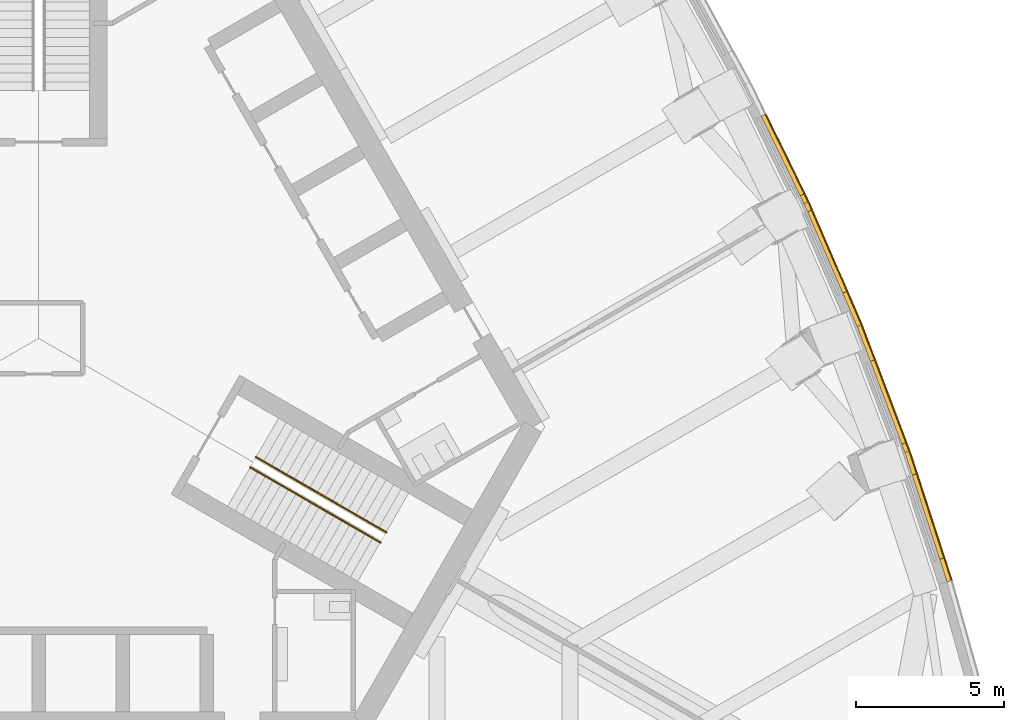
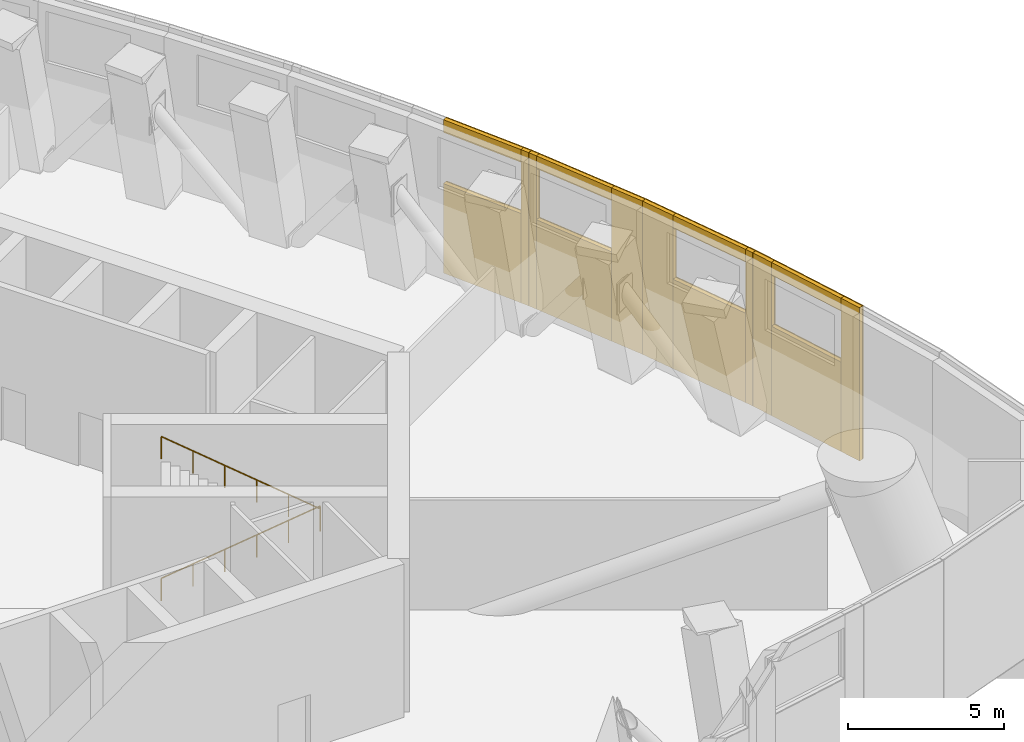
# One storey, part 14 of 22: 30 coverings, 2 railings.
"""IFC4 building model written with IfcOpenShell, lengths in metres."""

from ifc_helpers import new_model, si_unit, direction, frame, origin, origin_2d, place, context, subcontext, project, spatial, rectangle, circle, extrude, material, layer, layer_set, type_object, element, save


model = new_model("IFC4")

# Units and contexts
model_context = context("Model", 3, precision=1e-05, world=origin(), true_north=direction((0.0, 1.0)))
body_context = subcontext(model_context, "Body", "Model", "MODEL_VIEW")
ifc_project = project(units=[si_unit("LENGTHUNIT", "METRE"), si_unit("AREAUNIT", "SQUARE_METRE"), si_unit("VOLUMEUNIT", "CUBIC_METRE"), si_unit("PLANEANGLEUNIT", "RADIAN"), si_unit("MASSUNIT", "GRAM", prefix="KILO")], contexts=[model_context])

# Site, building, storey
site_placement = place(None, origin())
site = spatial("IfcSite", under=ifc_project, at=site_placement, CompositionType="ELEMENT")
building_placement = place(site_placement, origin())
building = spatial("IfcBuilding", under=site, at=building_placement, Name="Trefoil Bronze Tower", CompositionType="ELEMENT")
storey_placement = place(building_placement, frame((0.0, 0.0, 265.300048828125)))
storey = spatial("IfcBuildingStorey", under=building, at=storey_placement, Name="L61", CompositionType="ELEMENT", Elevation=265.300048828125)

# Coverings
ifc_material_1 = material(Name="Bronze-finish aluminium rainscreen panel on aluminium rails", Category="aluminium")
ifc_layer_1 = layer(ifc_material_1, 0.0400390625)
ifc_layer_set_1 = layer_set([ifc_layer_1], Name="Bronze cladding panel 40")
covering_type_1 = type_object("IfcCoveringType", Name="Bronze cladding panel 40", PredefinedType="CLADDING", material=ifc_layer_set_1)
for number, where, z_axis, x_axis, name in (
    (1, (30.8134765625, -7.815185546875, 0.0), (0.0, 0.0, 1.0), (-0.310148591987, 0.950688093377, 0.0), "Cladding panel L61 Face 2.2 piece 1"),
    (2, (29.635009765625, -4.202880859375, 0.0), (0.0, 0.0, 1.0), (-0.310148591987, 0.950688093377, 0.0), "Cladding panel L61 Face 2.2 piece 2"),
):
    element("IfcCovering", number, at=place(storey_placement, frame(where, z_axis=z_axis, x_axis=x_axis)), inside=storey, type_object=covering_type_1, Name=name, PredefinedType="CLADDING", context=body_context, shape_type="SweptSolid", body=[
        extrude(rectangle(XDim=0.7998046875, YDim=0.0400390625, at=origin_2d()), origin(), (0.0, 0.0, 1.0), 6.0),
    ])
covering_1_placement = place(storey_placement, frame((30.224365234375, -6.009033203125, 0.0), z_axis=(0.0, 0.0, 1.0), x_axis=(-0.310148591987, 0.950688093377, 0.0)))
element("IfcCovering", 3, at=covering_1_placement, inside=storey, type_object=covering_type_1, Name="Cladding panel L61 Face 2.2 piece 3", PredefinedType="CLADDING", context=body_context, shape_type="SweptSolid", body=[
    extrude(rectangle(XDim=3.0, YDim=0.0400390625, at=origin_2d()), origin(), (0.0, 0.0, 1.0), 3.5),
])
covering_2_placement = place(storey_placement, frame((30.224365234375, -6.009033203125, 5.5), z_axis=(0.0, 0.0, 1.0), x_axis=(-0.310148591987, 0.950688093377, 0.0)))
element("IfcCovering", 4, at=covering_2_placement, inside=storey, type_object=covering_type_1, Name="Cladding panel L61 Face 2.2 piece 4", PredefinedType="CLADDING", context=body_context, shape_type="SweptSolid", body=[
    extrude(rectangle(XDim=3.0, YDim=0.0400390625, at=origin_2d()), origin(), (0.0, 0.0, 1.0), 0.5),
])
covering_3_placement = place(storey_placement, frame((29.453125, -3.66845703125, 0.0), z_axis=(0.0, 0.0, 1.0), x_axis=(-0.354233936452, 0.935156841533, 0.0)))
element("IfcCovering", 5, at=covering_3_placement, inside=storey, type_object=covering_type_1, Name="Cladding panel L61 Face 2.3 piece 1", PredefinedType="CLADDING", context=body_context, shape_type="SweptSolid", body=[
    extrude(rectangle(XDim=0.300048828125, YDim=0.0400390625, at=origin_2d()), origin(), (0.0, 0.0, 1.0), 6.0),
])
covering_4_placement = place(storey_placement, frame((28.114013671875, -0.1337890625, 0.0), z_axis=(0.0, 0.0, 1.0), x_axis=(-0.354233936452, 0.935156841533, 0.0)))
element("IfcCovering", 6, at=covering_4_placement, inside=storey, type_object=covering_type_1, Name="Cladding panel L61 Face 2.3 piece 2", PredefinedType="CLADDING", context=body_context, shape_type="SweptSolid", body=[
    extrude(rectangle(XDim=1.25927734375, YDim=0.0400390625, at=origin_2d()), origin(), (0.0, 0.0, 1.0), 6.0),
])
covering_5_placement = place(storey_placement, frame((28.868408203125, -2.125244140625, 0.0), z_axis=(0.0, 0.0, 1.0), x_axis=(-0.354233936452, 0.935156841533, 0.0)))
element("IfcCovering", 7, at=covering_5_placement, inside=storey, type_object=covering_type_1, Name="Cladding panel L61 Face 2.3 piece 3", PredefinedType="CLADDING", context=body_context, shape_type="SweptSolid", body=[
    extrude(rectangle(XDim=3.0, YDim=0.0400390625, at=origin_2d()), origin(), (0.0, 0.0, 1.0), 3.5),
])
covering_6_placement = place(storey_placement, frame((28.868408203125, -2.125244140625, 5.5), z_axis=(0.0, 0.0, 1.0), x_axis=(-0.354233936452, 0.935156841533, 0.0)))
element("IfcCovering", 8, at=covering_6_placement, inside=storey, type_object=covering_type_1, Name="Cladding panel L61 Face 2.3 piece 4", PredefinedType="CLADDING", context=body_context, shape_type="SweptSolid", body=[
    extrude(rectangle(XDim=3.0, YDim=0.0400390625, at=origin_2d()), origin(), (0.0, 0.0, 1.0), 0.5),
])
covering_7_placement = place(storey_placement, frame((27.64111328125, 1.033203125, 0.0), z_axis=(0.0, 0.0, 1.0), x_axis=(-0.397220305796, 0.917723285453, 0.0)))
element("IfcCovering", 9, at=covering_7_placement, inside=storey, type_object=covering_type_1, Name="Cladding panel L61 Face 2.4 piece 1", PredefinedType="CLADDING", context=body_context, shape_type="SweptSolid", body=[
    extrude(rectangle(XDim=1.22998046875, YDim=0.0400390625, at=origin_2d()), origin(), (0.0, 0.0, 1.0), 6.0),
])
covering_8_placement = place(storey_placement, frame((26.145751953125, 4.488525390625, 0.0), z_axis=(0.0, 0.0, 1.0), x_axis=(-0.397220305796, 0.917723285453, 0.0)))
element("IfcCovering", 10, at=covering_8_placement, inside=storey, type_object=covering_type_1, Name="Cladding panel L61 Face 2.4 piece 2", PredefinedType="CLADDING", context=body_context, shape_type="SweptSolid", body=[
    extrude(rectangle(XDim=0.300048828125, YDim=0.0400390625, at=origin_2d()), origin(), (0.0, 0.0, 1.0), 6.0),
])
covering_9_placement = place(storey_placement, frame((26.801025390625, 2.97412109375, 0.0), z_axis=(0.0, 0.0, 1.0), x_axis=(-0.397220305796, 0.917723285453, 0.0)))
element("IfcCovering", 11, at=covering_9_placement, inside=storey, type_object=covering_type_1, Name="Cladding panel L61 Face 2.4 piece 3", PredefinedType="CLADDING", context=body_context, shape_type="SweptSolid", body=[
    extrude(rectangle(XDim=3.0, YDim=0.0400390625, at=origin_2d()), origin(), (0.0, 0.0, 1.0), 3.5),
])
covering_10_placement = place(storey_placement, frame((26.801025390625, 2.97412109375, 5.5), z_axis=(0.0, 0.0, 1.0), x_axis=(-0.397220305796, 0.917723285453, 0.0)))
element("IfcCovering", 12, at=covering_10_placement, inside=storey, type_object=covering_type_1, Name="Cladding panel L61 Face 2.4 piece 4", PredefinedType="CLADDING", context=body_context, shape_type="SweptSolid", body=[
    extrude(rectangle(XDim=3.0, YDim=0.0400390625, at=origin_2d()), origin(), (0.0, 0.0, 1.0), 0.5),
])
covering_11_placement = place(storey_placement, frame((26.01416015625, 4.774169921875, 0.0), z_axis=(0.0, 0.0, 1.0), x_axis=(-0.439129033303, 0.898424004638, 0.0)))
element("IfcCovering", 13, at=covering_11_placement, inside=storey, type_object=covering_type_1, Name="Cladding panel L61 Face 2.5 piece 1", PredefinedType="CLADDING", context=body_context, shape_type="SweptSolid", body=[
    extrude(rectangle(XDim=0.300048828125, YDim=0.0400390625, at=origin_2d()), origin(), (0.0, 0.0, 1.0), 6.0),
])
covering_12_placement = place(storey_placement, frame((25.28955078125, 6.256591796875, 0.0), z_axis=(0.0, 0.0, 1.0), x_axis=(-0.439129033303, 0.898424004638, 0.0)))
element("IfcCovering", 14, at=covering_12_placement, inside=storey, type_object=covering_type_1, Name="Cladding panel L61 Face 2.5 piece 3", PredefinedType="CLADDING", context=body_context, shape_type="SweptSolid", body=[
    extrude(rectangle(XDim=3.0, YDim=0.0400390625, at=origin_2d()), origin(), (0.0, 0.0, 1.0), 3.5),
])
covering_13_placement = place(storey_placement, frame((25.28955078125, 6.256591796875, 5.5), z_axis=(0.0, 0.0, 1.0), x_axis=(-0.439129033303, 0.898424004638, 0.0)))
element("IfcCovering", 15, at=covering_13_placement, inside=storey, type_object=covering_type_1, Name="Cladding panel L61 Face 2.5 piece 4", PredefinedType="CLADDING", context=body_context, shape_type="SweptSolid", body=[
    extrude(rectangle(XDim=3.0, YDim=0.0400390625, at=origin_2d()), origin(), (0.0, 0.0, 1.0), 0.5),
])

# Railings
ifc_material_2 = material(Name="Steel handrail", Category="steel")
railing_type = type_object("IfcRailingType", Name="Handrail 900", PredefinedType="HANDRAIL", material=ifc_material_2)
railing_1_placement = place(storey_placement, frame((7.365966796875, -4.021728515625, 0.16650390625)))
element("IfcRailing", 16, at=railing_1_placement, inside=storey, type_object=railing_type, Name="Handrail ST1 flight 1 L61", PredefinedType="HANDRAIL", context=body_context, shape_type="SweptSolid", body=[
    extrude(circle(Radius=0.02392578125, at=origin_2d()), frame((0.0, 0.0, 0.8759765625), z_axis=(0.757030734863, -0.437078438209, 0.485661307215), x_axis=(0.500005610874, 0.86602216432, 0.0)), (0.0, 0.0, 1.0), 5.834228515625),
    extrude(circle(Radius=0.02099609375, at=origin_2d()), origin(), (0.0, 0.0, 1.0), 0.851806640625),
    extrude(circle(Radius=0.02099609375, at=origin_2d()), frame((0.88330078125, -0.510009765625, 0.566650390625)), (0.0, 0.0, 1.0), 0.851806640625),
    extrude(circle(Radius=0.02099609375, at=origin_2d()), frame((1.7666015625, -1.02001953125, 1.13330078125)), (0.0, 0.0, 1.0), 0.851806640625),
    extrude(circle(Radius=0.02099609375, at=origin_2d()), frame((2.650146484375, -1.530029296875, 1.7001953125)), (0.0, 0.0, 1.0), 0.851806640625),
    extrude(circle(Radius=0.02099609375, at=origin_2d()), frame((3.533447265625, -2.0400390625, 2.266845703125)), (0.0, 0.0, 1.0), 0.851806640625),
    extrude(circle(Radius=0.02099609375, at=origin_2d()), frame((4.416748046875, -2.550048828125, 2.83349609375)), (0.0, 0.0, 1.0), 0.851806640625),
])
railing_2_placement = place(storey_placement, frame((11.582763671875, -6.918212890625, 3.16650390625)))
element("IfcRailing", 17, at=railing_2_placement, inside=storey, type_object=railing_type, Name="Handrail ST1 flight 2 L61", PredefinedType="HANDRAIL", context=body_context, shape_type="SweptSolid", body=[
    extrude(circle(Radius=0.02392578125, at=origin_2d()), frame((0.0, 0.0, 0.8759765625), z_axis=(-0.757030734863, 0.437078438209, 0.485661307215), x_axis=(-0.500005610874, -0.86602216432, 0.0)), (0.0, 0.0, 1.0), 5.834228515625),
    extrude(circle(Radius=0.02099609375, at=origin_2d()), origin(), (0.0, 0.0, 1.0), 0.851806640625),
    extrude(circle(Radius=0.02099609375, at=origin_2d()), frame((-0.88330078125, 0.510009765625, 0.566650390625)), (0.0, 0.0, 1.0), 0.851806640625),
    extrude(circle(Radius=0.02099609375, at=origin_2d()), frame((-1.7666015625, 1.02001953125, 1.13330078125)), (0.0, 0.0, 1.0), 0.851806640625),
    extrude(circle(Radius=0.02099609375, at=origin_2d()), frame((-2.650146484375, 1.530029296875, 1.7001953125)), (0.0, 0.0, 1.0), 0.851806640625),
    extrude(circle(Radius=0.02099609375, at=origin_2d()), frame((-3.533447265625, 2.0400390625, 2.266845703125)), (0.0, 0.0, 1.0), 0.851806640625),
    extrude(circle(Radius=0.02099609375, at=origin_2d()), frame((-4.416748046875, 2.550048828125, 2.83349609375)), (0.0, 0.0, 1.0), 0.851806640625),
])

# Coverings
ifc_material_3 = material(Name="Non-combustible mineral wool slab", Category="insulation")
ifc_layer_2 = layer(ifc_material_3, 0.14990234375)
ifc_layer_set_2 = layer_set([ifc_layer_2], Name="Rainscreen insulation 150")
covering_type_2 = type_object("IfcCoveringType", Name="Rainscreen insulation 150", PredefinedType="INSULATION", material=ifc_layer_set_2)
for number, where, z_axis, x_axis, name in (
    (18, (30.723388671875, -7.8447265625, 0.0), (0.0, 0.0, 1.0), (-0.310148591987, 0.950688093377, 0.0), "Insulation L61 Face 2.2 piece 1"),
    (19, (29.544921875, -4.232421875, 0.0), (0.0, 0.0, 1.0), (-0.310148591987, 0.950688093377, 0.0), "Insulation L61 Face 2.2 piece 2"),
):
    element("IfcCovering", number, at=place(storey_placement, frame(where, z_axis=z_axis, x_axis=x_axis)), inside=storey, type_object=covering_type_2, Name=name, PredefinedType="INSULATION", context=body_context, shape_type="SweptSolid", body=[
        extrude(rectangle(XDim=0.7998046875, YDim=0.14990234375, at=origin_2d()), origin(), (0.0, 0.0, 1.0), 6.0),
    ])
covering_14_placement = place(storey_placement, frame((30.134033203125, -6.03857421875, 0.0), z_axis=(0.0, 0.0, 1.0), x_axis=(-0.310148591987, 0.950688093377, 0.0)))
element("IfcCovering", 20, at=covering_14_placement, inside=storey, type_object=covering_type_2, Name="Insulation L61 Face 2.2 piece 3", PredefinedType="INSULATION", context=body_context, shape_type="SweptSolid", body=[
    extrude(rectangle(XDim=3.0, YDim=0.14990234375, at=origin_2d()), origin(), (0.0, 0.0, 1.0), 3.5),
])
covering_15_placement = place(storey_placement, frame((30.134033203125, -6.03857421875, 5.5), z_axis=(0.0, 0.0, 1.0), x_axis=(-0.310148591987, 0.950688093377, 0.0)))
element("IfcCovering", 21, at=covering_15_placement, inside=storey, type_object=covering_type_2, Name="Insulation L61 Face 2.2 piece 4", PredefinedType="INSULATION", context=body_context, shape_type="SweptSolid", body=[
    extrude(rectangle(XDim=3.0, YDim=0.14990234375, at=origin_2d()), origin(), (0.0, 0.0, 1.0), 0.5),
])
covering_16_placement = place(storey_placement, frame((29.3642578125, -3.701904296875, 0.0), z_axis=(0.0, 0.0, 1.0), x_axis=(-0.354233936452, 0.935156841533, 0.0)))
element("IfcCovering", 22, at=covering_16_placement, inside=storey, type_object=covering_type_2, Name="Insulation L61 Face 2.3 piece 1", PredefinedType="INSULATION", context=body_context, shape_type="SweptSolid", body=[
    extrude(rectangle(XDim=0.300048828125, YDim=0.14990234375, at=origin_2d()), origin(), (0.0, 0.0, 1.0), 6.0),
])
covering_17_placement = place(storey_placement, frame((28.025390625, -0.16748046875, 0.0), z_axis=(0.0, 0.0, 1.0), x_axis=(-0.354233936452, 0.935156841533, 0.0)))
element("IfcCovering", 23, at=covering_17_placement, inside=storey, type_object=covering_type_2, Name="Insulation L61 Face 2.3 piece 2", PredefinedType="INSULATION", context=body_context, shape_type="SweptSolid", body=[
    extrude(rectangle(XDim=1.25927734375, YDim=0.14990234375, at=origin_2d()), origin(), (0.0, 0.0, 1.0), 6.0),
])
covering_18_placement = place(storey_placement, frame((28.77978515625, -2.158935546875, 0.0), z_axis=(0.0, 0.0, 1.0), x_axis=(-0.354233936452, 0.935156841533, 0.0)))
element("IfcCovering", 24, at=covering_18_placement, inside=storey, type_object=covering_type_2, Name="Insulation L61 Face 2.3 piece 3", PredefinedType="INSULATION", context=body_context, shape_type="SweptSolid", body=[
    extrude(rectangle(XDim=3.0, YDim=0.14990234375, at=origin_2d()), origin(), (0.0, 0.0, 1.0), 3.5),
])
covering_19_placement = place(storey_placement, frame((28.77978515625, -2.158935546875, 5.5), z_axis=(0.0, 0.0, 1.0), x_axis=(-0.354233936452, 0.935156841533, 0.0)))
element("IfcCovering", 25, at=covering_19_placement, inside=storey, type_object=covering_type_2, Name="Insulation L61 Face 2.3 piece 4", PredefinedType="INSULATION", context=body_context, shape_type="SweptSolid", body=[
    extrude(rectangle(XDim=3.0, YDim=0.14990234375, at=origin_2d()), origin(), (0.0, 0.0, 1.0), 0.5),
])
covering_20_placement = place(storey_placement, frame((27.553955078125, 0.995361328125, 0.0), z_axis=(0.0, 0.0, 1.0), x_axis=(-0.397220305796, 0.917723285453, 0.0)))
element("IfcCovering", 26, at=covering_20_placement, inside=storey, type_object=covering_type_2, Name="Insulation L61 Face 2.4 piece 1", PredefinedType="INSULATION", context=body_context, shape_type="SweptSolid", body=[
    extrude(rectangle(XDim=1.22998046875, YDim=0.14990234375, at=origin_2d()), origin(), (0.0, 0.0, 1.0), 6.0),
])
covering_21_placement = place(storey_placement, frame((26.05859375, 4.45068359375, 0.0), z_axis=(0.0, 0.0, 1.0), x_axis=(-0.397220305796, 0.917723285453, 0.0)))
element("IfcCovering", 27, at=covering_21_placement, inside=storey, type_object=covering_type_2, Name="Insulation L61 Face 2.4 piece 2", PredefinedType="INSULATION", context=body_context, shape_type="SweptSolid", body=[
    extrude(rectangle(XDim=0.300048828125, YDim=0.14990234375, at=origin_2d()), origin(), (0.0, 0.0, 1.0), 6.0),
])
covering_22_placement = place(storey_placement, frame((26.7138671875, 2.9365234375, 0.0), z_axis=(0.0, 0.0, 1.0), x_axis=(-0.397220305796, 0.917723285453, 0.0)))
element("IfcCovering", 28, at=covering_22_placement, inside=storey, type_object=covering_type_2, Name="Insulation L61 Face 2.4 piece 3", PredefinedType="INSULATION", context=body_context, shape_type="SweptSolid", body=[
    extrude(rectangle(XDim=3.0, YDim=0.14990234375, at=origin_2d()), origin(), (0.0, 0.0, 1.0), 3.5),
])
covering_23_placement = place(storey_placement, frame((26.7138671875, 2.9365234375, 5.5), z_axis=(0.0, 0.0, 1.0), x_axis=(-0.397220305796, 0.917723285453, 0.0)))
element("IfcCovering", 29, at=covering_23_placement, inside=storey, type_object=covering_type_2, Name="Insulation L61 Face 2.4 piece 4", PredefinedType="INSULATION", context=body_context, shape_type="SweptSolid", body=[
    extrude(rectangle(XDim=3.0, YDim=0.14990234375, at=origin_2d()), origin(), (0.0, 0.0, 1.0), 0.5),
])
covering_24_placement = place(storey_placement, frame((25.9287109375, 4.732421875, 0.0), z_axis=(0.0, 0.0, 1.0), x_axis=(-0.439129033303, 0.898424004638, 0.0)))
element("IfcCovering", 30, at=covering_24_placement, inside=storey, type_object=covering_type_2, Name="Insulation L61 Face 2.5 piece 1", PredefinedType="INSULATION", context=body_context, shape_type="SweptSolid", body=[
    extrude(rectangle(XDim=0.300048828125, YDim=0.14990234375, at=origin_2d()), origin(), (0.0, 0.0, 1.0), 6.0),
])
covering_25_placement = place(storey_placement, frame((25.2041015625, 6.21484375, 0.0), z_axis=(0.0, 0.0, 1.0), x_axis=(-0.439129033303, 0.898424004638, 0.0)))
element("IfcCovering", 31, at=covering_25_placement, inside=storey, type_object=covering_type_2, Name="Insulation L61 Face 2.5 piece 3", PredefinedType="INSULATION", context=body_context, shape_type="SweptSolid", body=[
    extrude(rectangle(XDim=3.0, YDim=0.14990234375, at=origin_2d()), origin(), (0.0, 0.0, 1.0), 3.5),
])
covering_26_placement = place(storey_placement, frame((25.2041015625, 6.21484375, 5.5), z_axis=(0.0, 0.0, 1.0), x_axis=(-0.439129033303, 0.898424004638, 0.0)))
element("IfcCovering", 32, at=covering_26_placement, inside=storey, type_object=covering_type_2, Name="Insulation L61 Face 2.5 piece 4", PredefinedType="INSULATION", context=body_context, shape_type="SweptSolid", body=[
    extrude(rectangle(XDim=3.0, YDim=0.14990234375, at=origin_2d()), origin(), (0.0, 0.0, 1.0), 0.5),
])

save(model, "model.ifc")
